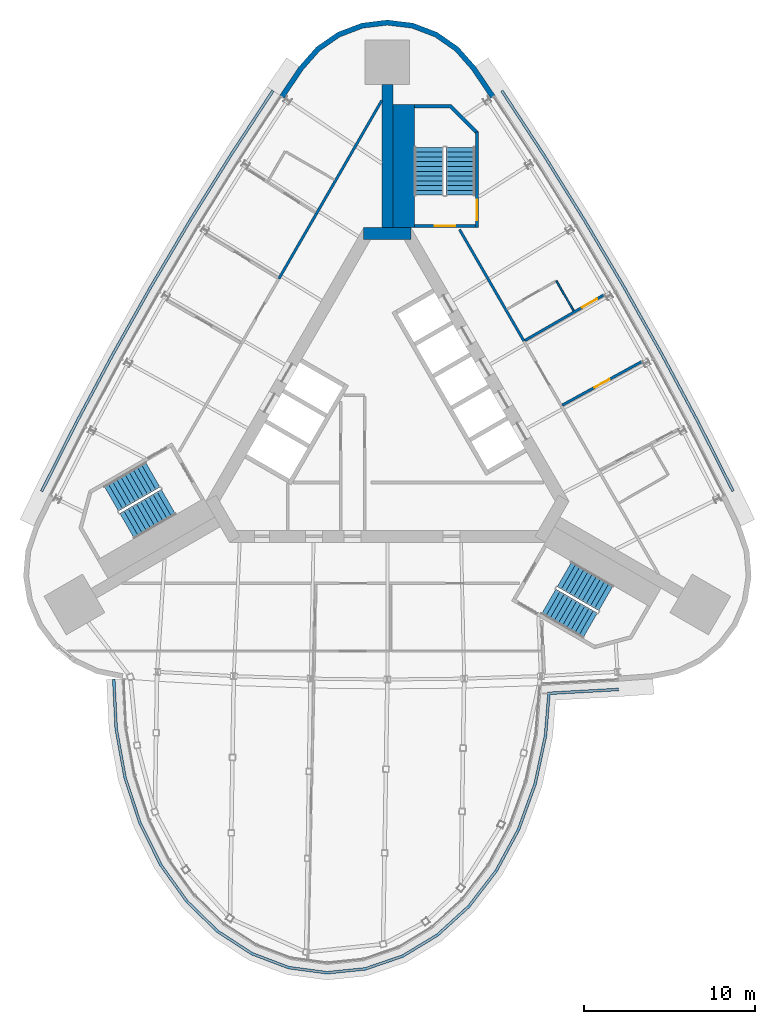
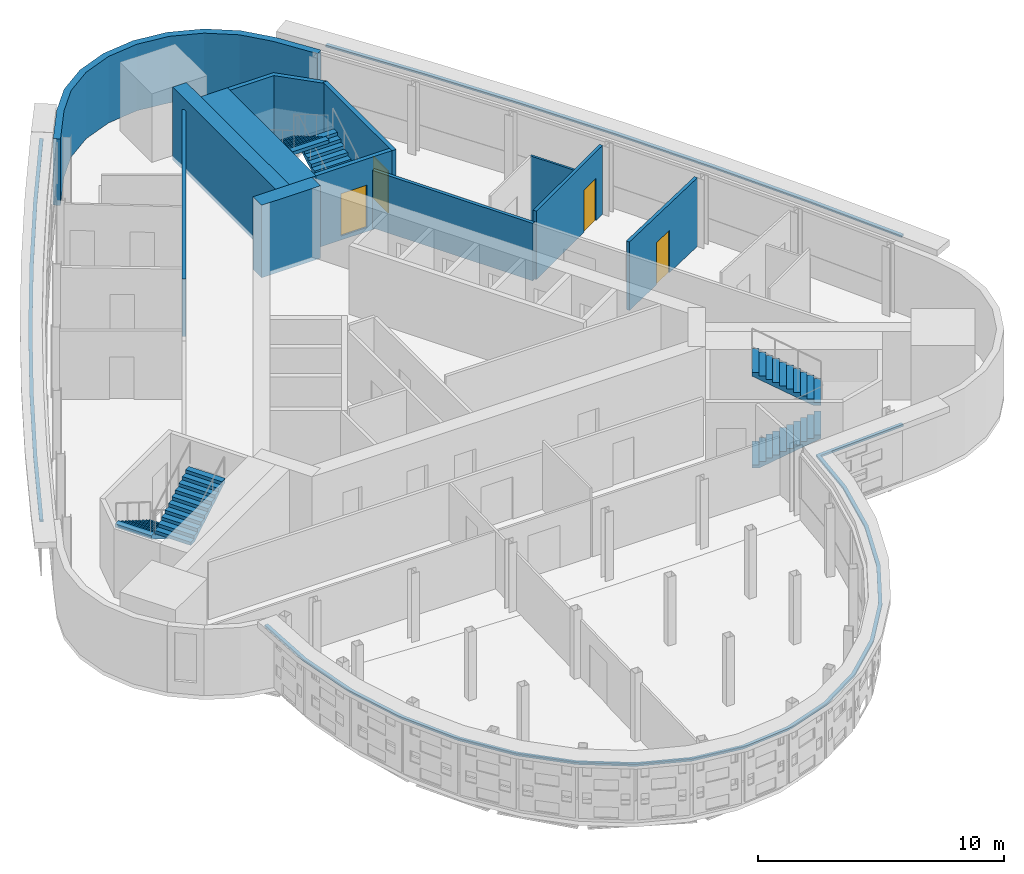
# One storey, part 11 of 14: 12 walls, 6 stair flights, 4 doors, 3 discrete accessories, 4 openings, 3 elements without a shape of their own.
"""IFC4 building model written with IfcOpenShell, lengths in metres."""

from ifc_helpers import new_model, si_unit, direction, frame, frame_2d, origin, place, context, subcontext, project, spatial, polyline, rectangle, outline, extrude, material, layer, layer_set, type_object, element, fill, aggregate, save


model = new_model("IFC4")

# Units and contexts
model_context = context("Model", 3, precision=1e-05, world=origin(), true_north=direction((0.0, 1.0)))
body_context = subcontext(model_context, "Body", "Model", "MODEL_VIEW")
ifc_project = project(units=[si_unit("LENGTHUNIT", "METRE"), si_unit("AREAUNIT", "SQUARE_METRE"), si_unit("VOLUMEUNIT", "CUBIC_METRE"), si_unit("PLANEANGLEUNIT", "RADIAN"), si_unit("MASSUNIT", "GRAM", prefix="KILO")], contexts=[model_context])

# Site, building, storey
site_placement = place(None, origin())
site = spatial("IfcSite", under=ifc_project, at=site_placement, CompositionType="ELEMENT")
building_placement = place(site_placement, origin())
building = spatial("IfcBuilding", under=site, at=building_placement, Name="Noor Cloister Tower", CompositionType="ELEMENT")
storey_placement = place(building_placement, frame((0.0, 0.0, 218.39990234375)))
storey = spatial("IfcBuildingStorey", under=building, at=storey_placement, Name="L56", CompositionType="ELEMENT", Elevation=218.39990234375)

# Walls
ifc_material_1 = material(Name="Concrete C60/75", Category="concrete")
ifc_layer_1 = layer(ifc_material_1, 0.64990234375)
ifc_layer_set_1 = layer_set([ifc_layer_1], Name="Buttress wall 650 C60/75")
wall_type_1 = type_object("IfcWallType", Name="Buttress wall 650 C60/75", PredefinedType="SHEAR", material=ifc_layer_set_1)
wall_1_placement = place(storey_placement, frame((0.0, 11.456298828125, -0.199951171875), z_axis=(0.0, 0.0, 1.0), x_axis=(0.0, 1.0, 0.0)))
element("IfcWall", 1, at=wall_1_placement, inside=storey, type_object=wall_type_1, Name="Buttress wall N L56", PredefinedType="SHEAR", context=body_context, shape_type="SweptSolid", body=[
    extrude(rectangle(XDim=8.358642578125, YDim=0.64990234375, at=frame_2d((4.17919921875, 0.0))), origin(), (0.0, 0.0, 1.0), 3.60009765625),
])
ifc_material_2 = material(Name="Concrete C60/75", Category="concrete")
ifc_layer_2 = layer(ifc_material_2, 0.699951171875)
ifc_layer_set_2 = layer_set([ifc_layer_2], Name="Core wall 700 C60/75")
wall_type_2 = type_object("IfcWallType", Name="Core wall 700 C60/75", PredefinedType="SHEAR", material=ifc_layer_set_2)
wall_2_placement = place(storey_placement, frame((1.3857421875, 11.1064453125, -0.199951171875), z_axis=(0.0, 0.0, 1.0), x_axis=(-1.0, 0.0, 0.0)))
element("IfcWall", 2, at=wall_2_placement, inside=storey, type_object=wall_type_2, Name="Core wall L56 4", PredefinedType="SHEAR", context=body_context, shape_type="SweptSolid", body=[
    extrude(rectangle(XDim=2.771484375, YDim=0.699951171875, at=frame_2d((1.3857421875, 0.0))), origin(), (0.0, 0.0, 1.0), 3.60009765625),
])
ifc_material_3 = material(Name="Fire-rated gypsum board partition on steel studs, 150 mm", Category="steel")
ifc_layer_3 = layer(ifc_material_3, 0.14990234375)
ifc_layer_set_3 = layer_set([ifc_layer_3], Name="Fire lobby wall 150")
wall_type_3 = type_object("IfcWallType", Name="Fire lobby wall 150", PredefinedType="PARTITIONING", material=ifc_layer_set_3)
wall_3_placement = place(storey_placement, frame((-0.324951171875, 18.8935546875, 0.0), z_axis=(0.0, 0.0, 1.0), x_axis=(-0.50000126085, -0.866024675831, 0.0)))
element("IfcWall", 3, at=wall_3_placement, inside=storey, type_object=wall_type_3, Name="Wall L56-W18", PredefinedType="PARTITIONING", context=body_context, shape_type="SweptSolid", body=[
    extrude(rectangle(XDim=12.02685546875, YDim=0.14990234375, at=frame_2d((6.013427734375, 0.0))), origin(), (0.0, 0.0, 1.0), 2.85205078125),
])
ifc_material_4 = material(Name="Gypsum board partition on steel studs, 150 mm", Category="steel")
ifc_layer_4 = layer(ifc_material_4, 0.14990234375)
ifc_layer_set_4 = layer_set([ifc_layer_4], Name="Flat wall 150")
wall_type_4 = type_object("IfcWallType", Name="Flat wall 150", PredefinedType="PARTITIONING", material=ifc_layer_set_4)
wall_4_placement = place(storey_placement, frame((7.978515625, 4.83740234375, 0.0), z_axis=(0.0, 0.0, 1.0), x_axis=(-0.500014427086, 0.866017074142, 0.0)))
element("IfcWall", 4, at=wall_4_placement, inside=storey, type_object=wall_type_4, Name="Wall L56-W02", PredefinedType="PARTITIONING", context=body_context, shape_type="SweptSolid", body=[
    extrude(rectangle(XDim=7.527587890625, YDim=0.14990234375, at=frame_2d((3.763671875, 0.0))), origin(), (0.0, 0.0, 1.0), 2.85205078125),
])

# Wall, opening, door
wall_5_placement = place(storey_placement, frame((14.909912109375, 3.661376953125, 0.0), z_axis=(0.0, 0.0, 1.0), x_axis=(-0.87687518663, -0.480718116023, 0.0)))
wall_5 = element("IfcWall", 5, at=wall_5_placement, inside=storey, type_object=wall_type_4, Name="Wall L56-W03", PredefinedType="PARTITIONING", context=body_context, shape_type="SweptSolid", body=[
    extrude(rectangle(XDim=5.34130859375, YDim=0.14990234375, at=frame_2d((2.670654296875, 0.0))), origin(), (0.0, 0.0, 1.0), 3.400146484375),
])
opening_1_placement = place(wall_5_placement, frame((2.2080078125, 0.0, 0.0)))
opening_1 = element("IfcOpeningElement", 6, at=opening_1_placement, cuts=wall_5, Name="Opening L56-004", PredefinedType="OPENING", context=body_context, shape_type="SweptSolid", body=[
    extrude(rectangle(XDim=1.0, YDim=2.10009765625, at=frame_2d((0.5, 1.050048828125))), frame((0.0, 0.0849609375, 0.0), z_axis=(0.0, -1.0, 0.0), x_axis=(1.0, 0.0, 0.0)), (0.0, 0.0, 1.0), 0.169921875),
])
ifc_material_5 = material(Name="Timber door leaf with steel frame", Category="steel")
door_type_1 = type_object("IfcDoorType", Name="Flat entrance door 1000", OperationType="NOTDEFINED", PredefinedType="DOOR", material=ifc_material_5)
door_1_placement = place(opening_1_placement, origin())
door_1 = element("IfcDoor", 7, at=door_1_placement, inside=storey, type_object=door_type_1, Name="Door L56-004", OperationType="SINGLE_SWING_RIGHT", OverallHeight=2.10009765625, OverallWidth=1.0, PredefinedType="DOOR", context=body_context, shape_type="SweptSolid", body=[
    extrude(rectangle(XDim=1.0, YDim=2.10009765625, at=frame_2d((0.5, 1.050048828125))), frame((0.0, 0.02490234375, 0.0), z_axis=(0.0, -1.0, 0.0), x_axis=(1.0, 0.0, 0.0)), (0.0, 0.0, 1.0), 0.050048828125),
])
fill(opening_1, door_1)

wall_6_placement = place(storey_placement, frame((12.70703125, 7.5673828125, 0.0), z_axis=(0.0, 0.0, 1.0), x_axis=(-0.866016468327, -0.500015476347, 0.0)))
wall_6 = element("IfcWall", 8, at=wall_6_placement, inside=storey, type_object=wall_type_4, Name="Wall L56-W04", PredefinedType="PARTITIONING", context=body_context, shape_type="SweptSolid", body=[
    extrude(rectangle(XDim=5.385009765625, YDim=0.14990234375, at=frame_2d((2.6923828125, 0.0))), origin(), (0.0, 0.0, 1.0), 3.400146484375),
])
opening_2_placement = place(wall_6_placement, frame((0.530029296875, 0.0, 0.0)))
opening_2 = element("IfcOpeningElement", 9, at=opening_2_placement, cuts=wall_6, Name="Opening L56-006", PredefinedType="OPENING", context=body_context, shape_type="SweptSolid", body=[
    extrude(rectangle(XDim=1.0, YDim=2.10009765625, at=frame_2d((0.5, 1.050048828125))), frame((0.0, 0.0849609375, 0.0), z_axis=(0.0, -1.0, 0.0), x_axis=(1.0, 0.0, 0.0)), (0.0, 0.0, 1.0), 0.169921875),
])
door_2_placement = place(opening_2_placement, origin())
door_2 = element("IfcDoor", 10, at=door_2_placement, inside=storey, type_object=door_type_1, Name="Door L56-006", OperationType="SINGLE_SWING_RIGHT", OverallHeight=2.10009765625, OverallWidth=1.0, PredefinedType="DOOR", context=body_context, shape_type="SweptSolid", body=[
    extrude(rectangle(XDim=1.0, YDim=2.10009765625, at=frame_2d((0.5, 1.050048828125))), frame((0.0, 0.02490234375, 0.0), z_axis=(0.0, -1.0, 0.0), x_axis=(1.0, 0.0, 0.0)), (0.0, 0.0, 1.0), 0.050048828125),
])
fill(opening_2, door_2)

# Walls
ifc_material_6 = material(Name="Limestone", Category="masonry")
ifc_layer_5 = layer(ifc_material_6, 0.300048828125)
ifc_layer_set_5 = layer_set([ifc_layer_5], Name="Limestone cladding 300")
wall_type_5 = type_object("IfcWallType", Name="Limestone cladding 300", PredefinedType="NOTDEFINED", material=ifc_layer_set_5)
wall_7_placement = place(storey_placement, origin())
element("IfcWall", 11, at=wall_7_placement, inside=storey, type_object=wall_type_5, Name="Limestone pier cladding L56 3.1", PredefinedType="NOTDEFINED", context=body_context, shape_type="SweptSolid", body=[
    extrude(outline(polyline([(6.2822265625, 19.2041015625), (5.148681640625, 20.87890625), (4.1513671875, 22.012939453125), (2.91064453125, 22.874267578125), (1.499267578125, 23.412109375), (0.0, 23.5947265625), (-1.499267578125, 23.412109375), (-2.91064453125, 22.874267578125), (-4.1513671875, 22.012939453125), (-5.148681640625, 20.87890625), (-6.2822265625, 19.2041015625), (-6.03369140625, 19.035888671875), (-4.910888671875, 20.69482421875), (-3.9501953125, 21.787353515625), (-2.76953125, 22.60693359375), (-1.426513671875, 23.11865234375), (0.0, 23.292724609375), (1.426513671875, 23.11865234375), (2.76953125, 22.60693359375), (3.9501953125, 21.787353515625), (4.910888671875, 20.69482421875), (6.03369140625, 19.035888671875), (6.2822265625, 19.2041015625)])), origin(), (0.0, 0.0, 1.0), 3.300048828125),
])
ifc_material_7 = material(Name="Gypsum board partition on steel studs, 100 mm", Category="steel")
ifc_layer_6 = layer(ifc_material_7, 0.10009765625)
ifc_layer_set_6 = layer_set([ifc_layer_6], Name="Partition 100")
wall_type_6 = type_object("IfcWallType", Name="Partition 100", PredefinedType="PARTITIONING", material=ifc_layer_set_6)
wall_8_placement = place(storey_placement, frame((10.885498046875, 6.602294921875, 0.0), z_axis=(0.0, 0.0, 1.0), x_axis=(-0.499990325971, 0.866030989016, 0.0)))
element("IfcWall", 12, at=wall_8_placement, inside=storey, type_object=wall_type_6, Name="Wall L56-W09", PredefinedType="PARTITIONING", context=body_context, shape_type="SweptSolid", body=[
    extrude(rectangle(XDim=2.02490234375, YDim=0.10009765625, at=frame_2d((1.012451171875, 0.0))), origin(), (0.0, 0.0, 1.0), 3.400146484375),
])
ifc_material_8 = material(Name="Concrete C60/75", Category="concrete")
ifc_layer_7 = layer(ifc_material_8, 1.260986328125)
ifc_layer_set_7 = layer_set([ifc_layer_7], Name="Stair enclosure wall 1261 C60/75")
wall_type_7 = type_object("IfcWallType", Name="Stair enclosure wall 1261 C60/75", PredefinedType="SHEAR", material=ifc_layer_set_7)
wall_9_placement = place(storey_placement, frame((0.955322265625, 11.456298828125, -0.199951171875), z_axis=(0.0, 0.0, 1.0), x_axis=(0.0, 1.0, 0.0)))
element("IfcWall", 13, at=wall_9_placement, inside=storey, type_object=wall_type_7, Name="Stair enclosure wall ST1 L56 riser side", PredefinedType="SHEAR", context=body_context, shape_type="SweptSolid", body=[
    extrude(rectangle(XDim=7.2001953125, YDim=1.2607421875, at=frame_2d((3.60009765625, 0.0))), origin(), (0.0, 0.0, 1.0), 3.60009765625),
])

# Wall, opening, door
ifc_material_9 = material(Name="Concrete C60/75", Category="concrete")
ifc_layer_8 = layer(ifc_material_9, 0.199951171875)
ifc_layer_set_8 = layer_set([ifc_layer_8], Name="Stair enclosure wall 200 C60/75")
wall_type_8 = type_object("IfcWallType", Name="Stair enclosure wall 200 C60/75", PredefinedType="SHEAR", material=ifc_layer_set_8)
wall_10_placement = place(storey_placement, frame((5.135498046875, 11.556396484375, -0.199951171875), z_axis=(0.0, 0.0, 1.0), x_axis=(-1.0, 0.0, 0.0)))
wall_10 = element("IfcWall", 14, at=wall_10_placement, inside=storey, type_object=wall_type_8, Name="Stair enclosure wall ST1 L56 near end", PredefinedType="SHEAR", context=body_context, shape_type="SweptSolid", body=[
    extrude(rectangle(XDim=3.5498046875, YDim=0.199951171875, at=frame_2d((1.77490234375, 0.0))), origin(), (0.0, 0.0, 1.0), 3.60009765625),
])
opening_3_placement = place(wall_10_placement, frame((1.175048828125, 0.0, 0.199951171875)))
opening_3 = element("IfcOpeningElement", 15, at=opening_3_placement, cuts=wall_10, Name="Opening L56-ST1L", PredefinedType="OPENING", context=body_context, shape_type="SweptSolid", body=[
    extrude(rectangle(XDim=1.199951171875, YDim=2.10009765625, at=frame_2d((0.60009765625, 1.050048828125))), frame((0.0, 0.10986328125, 0.0), z_axis=(0.0, -1.0, 0.0), x_axis=(1.0, 0.0, 0.0)), (0.0, 0.0, 1.0), 0.219970703125),
])
ifc_material_10 = material(Name="Steel", Category="steel")
door_type_2 = type_object("IfcDoorType", Name="Stair door 1200 x 2100 FD120", OperationType="SINGLE_SWING_LEFT", PredefinedType="DOOR", material=ifc_material_10)
door_3_placement = place(opening_3_placement, origin())
door_3 = element("IfcDoor", 16, at=door_3_placement, inside=storey, type_object=door_type_2, Name="Stair door ST1 L56", OperationType="SINGLE_SWING_RIGHT", OverallHeight=2.10009765625, OverallWidth=1.199951171875, PredefinedType="DOOR", context=body_context, shape_type="SweptSolid", body=[
    extrude(rectangle(XDim=1.199951171875, YDim=2.10009765625, at=frame_2d((0.60009765625, 1.050048828125))), frame((0.0, 0.02490234375, 0.0), z_axis=(0.0, -1.0, 0.0), x_axis=(1.0, 0.0, 0.0)), (0.0, 0.0, 1.0), 0.050048828125),
])
fill(opening_3, door_3)

wall_11_placement = place(storey_placement, frame((5.235595703125, 11.456298828125, -0.199951171875), z_axis=(0.0, 0.0, 1.0), x_axis=(0.0, 1.0, 0.0)))
wall_11 = element("IfcWall", 17, at=wall_11_placement, inside=storey, type_object=wall_type_8, Name="Stair enclosure wall ST1 L56 outer side", PredefinedType="SHEAR", context=body_context, shape_type="SweptSolid", body=[
    extrude(rectangle(XDim=5.60009765625, YDim=0.199951171875, at=frame_2d((2.800048828125, 0.0))), origin(), (0.0, 0.0, 1.0), 3.60009765625),
])
opening_4_placement = place(wall_11_placement, frame((0.449951171875, 0.0, 0.199951171875)))
opening_4 = element("IfcOpeningElement", 18, at=opening_4_placement, cuts=wall_11, Name="Opening L56-ST1C", PredefinedType="OPENING", context=body_context, shape_type="SweptSolid", body=[
    extrude(rectangle(XDim=1.199951171875, YDim=2.10009765625, at=frame_2d((0.60009765625, 1.050048828125))), frame((0.0, 0.10986328125, 0.0), z_axis=(0.0, -1.0, 0.0), x_axis=(1.0, 0.0, 0.0)), (0.0, 0.0, 1.0), 0.219970703125),
])
door_4_placement = place(opening_4_placement, origin())
door_4 = element("IfcDoor", 19, at=door_4_placement, inside=storey, type_object=door_type_2, Name="Stair door ST1 L56", OperationType="SINGLE_SWING_LEFT", OverallHeight=2.10009765625, OverallWidth=1.199951171875, PredefinedType="DOOR", context=body_context, shape_type="SweptSolid", body=[
    extrude(rectangle(XDim=1.199951171875, YDim=2.10009765625, at=frame_2d((0.60009765625, 1.050048828125))), frame((0.0, 0.02490234375, 0.0), z_axis=(0.0, -1.0, 0.0), x_axis=(1.0, 0.0, 0.0)), (0.0, 0.0, 1.0), 0.050048828125),
])
fill(opening_4, door_4)

# Wall
ifc_material_11 = material(Name="Concrete C60/75", Category="concrete")
wall_type_9 = type_object("IfcWallType", Name="Stair far end wall C60/75", PredefinedType="SHEAR", material=ifc_material_11)
wall_12_placement = place(storey_placement, frame((0.0, 0.0, -0.199951171875)))
element("IfcWall", 20, at=wall_12_placement, inside=storey, type_object=wall_type_9, Name="Stair enclosure wall ST1 L56 far end", PredefinedType="SHEAR", context=body_context, shape_type="SweptSolid", body=[
    extrude(outline(polyline([(5.335693359375, 17.056396484375), (3.735595703125, 18.656494140625), (1.585693359375, 18.656494140625), (1.585693359375, 18.456298828125), (3.65283203125, 18.456298828125), (5.135498046875, 16.9736328125), (5.135498046875, 17.056396484375), (5.135498046875, 17.056396484375), (5.135498046875, 17.056396484375), (5.135498046875, 17.056396484375), (5.135498046875, 17.056396484375), (5.135498046875, 17.056396484375), (5.135498046875, 17.056396484375), (5.135498046875, 17.056396484375), (5.135498046875, 17.056396484375), (5.135498046875, 17.056396484375), (5.135498046875, 17.056396484375), (5.135498046875, 17.056396484375), (5.135498046875, 17.056396484375), (5.135498046875, 17.056396484375), (5.135498046875, 17.056396484375), (5.135498046875, 17.056396484375), (5.135498046875, 17.056396484375), (5.335693359375, 17.056396484375)])), origin(), (0.0, 0.0, 1.0), 3.60009765625),
])

# Stair, stair flights
ifc_material_12 = material(Name="Concrete C40/50", Category="concrete")
stair_type = type_object("IfcStairType", Name="Exit stair 22 risers", PredefinedType="HALF_TURN_STAIR", material=ifc_material_12)
stair_1_placement = place(storey_placement, origin())
stair_1 = element("IfcStair", 21, at=stair_1_placement, inside=storey, type_object=stair_type, Name="Exit stair ST1 L56", PredefinedType="HALF_TURN_STAIR")
ifc_material_13 = material(Name="Concrete C40/50", Category="concrete")
stair_flight_type = type_object("IfcStairFlightType", Name="Exit stair flight", PredefinedType="STRAIGHT", material=ifc_material_13)
stair_flight_1_placement = place(storey_placement, frame((4.28564453125, 13.3564453125, 0.0), z_axis=(0.0, 0.0, 1.0), x_axis=(0.0, 1.0, 0.0)))
stair_flight_1 = element("IfcStairFlight", 22, at=stair_flight_1_placement, type_object=stair_flight_type, Name="ST1 flight 1", NumberOfRisers=11, NumberOfTreads=10, PredefinedType="STRAIGHT", RiserHeight=0.163636364, TreadLength=0.28, context=body_context, shape_type="SweptSolid", body=[
    extrude(outline(polyline([(0.0, 0.0), (0.0, 0.16357421875), (0.280029296875, 0.16357421875), (0.280029296875, 0.327392578125), (0.56005859375, 0.327392578125), (0.56005859375, 0.490966796875), (0.840087890625, 0.490966796875), (0.840087890625, 0.654541015625), (1.1201171875, 0.654541015625), (1.1201171875, 0.818115234375), (1.39990234375, 0.818115234375), (1.39990234375, 0.98193359375), (1.679931640625, 0.98193359375), (1.679931640625, 1.1455078125), (1.9599609375, 1.1455078125), (1.9599609375, 1.30908203125), (2.239990234375, 1.30908203125), (2.239990234375, 1.47265625), (2.52001953125, 1.47265625), (2.52001953125, 1.636474609375), (2.800048828125, 1.636474609375), (2.800048828125, 1.800048828125), (2.800048828125, 1.462646484375), (0.297119140625, 0.0), (0.0, 0.0)])), frame((0.0, 0.85009765625, 0.0), z_axis=(0.0, -1.0, 0.0), x_axis=(1.0, 0.0, 0.0)), (0.0, 0.0, 1.0), 1.699951171875),
])
stair_flight_2_placement = place(storey_placement, frame((2.435546875, 16.156494140625, 1.800048828125), z_axis=(0.0, 0.0, 1.0), x_axis=(0.0, -1.0, 0.0)))
stair_flight_2 = element("IfcStairFlight", 23, at=stair_flight_2_placement, type_object=stair_flight_type, Name="ST1 flight 2", NumberOfRisers=11, NumberOfTreads=10, PredefinedType="STRAIGHT", RiserHeight=0.163636364, TreadLength=0.28, context=body_context, shape_type="SweptSolid", body=[
    extrude(outline(polyline([(0.0, 0.0), (0.0, 0.16357421875), (0.280029296875, 0.16357421875), (0.280029296875, 0.327392578125), (0.56005859375, 0.327392578125), (0.56005859375, 0.490966796875), (0.840087890625, 0.490966796875), (0.840087890625, 0.654541015625), (1.1201171875, 0.654541015625), (1.1201171875, 0.818115234375), (1.39990234375, 0.818115234375), (1.39990234375, 0.98193359375), (1.679931640625, 0.98193359375), (1.679931640625, 1.1455078125), (1.9599609375, 1.1455078125), (1.9599609375, 1.30908203125), (2.239990234375, 1.30908203125), (2.239990234375, 1.47265625), (2.52001953125, 1.47265625), (2.52001953125, 1.636474609375), (2.800048828125, 1.636474609375), (2.800048828125, 1.800048828125), (2.800048828125, 1.462646484375), (0.297119140625, 0.0), (0.0, 0.0)])), frame((0.0, 0.85009765625, 0.0), z_axis=(0.0, -1.0, 0.0), x_axis=(1.0, 0.0, 0.0)), (0.0, 0.0, 1.0), 1.699951171875),
])
aggregate(stair_1, [stair_flight_1, stair_flight_2])

stair_2_placement = place(storey_placement, origin())
stair_2 = element("IfcStair", 24, at=stair_2_placement, inside=storey, type_object=stair_type, Name="Exit stair ST2 L56", PredefinedType="HALF_TURN_STAIR")
stair_flight_3_placement = place(storey_placement, frame((-13.709716796875, -2.966796875, 0.0), z_axis=(0.0, 0.0, 1.0), x_axis=(-0.866025403784, -0.5, 0.0)))
stair_flight_3 = element("IfcStairFlight", 25, at=stair_flight_3_placement, type_object=stair_flight_type, Name="ST2 flight 1", NumberOfRisers=11, NumberOfTreads=10, PredefinedType="STRAIGHT", RiserHeight=0.163636364, TreadLength=0.28, context=body_context, shape_type="SweptSolid", body=[
    extrude(outline(polyline([(0.0, 0.0), (0.0, 0.16357421875), (0.280029296875, 0.16357421875), (0.280029296875, 0.327392578125), (0.56005859375, 0.327392578125), (0.56005859375, 0.490966796875), (0.840087890625, 0.490966796875), (0.840087890625, 0.654541015625), (1.1201171875, 0.654541015625), (1.1201171875, 0.818115234375), (1.39990234375, 0.818115234375), (1.39990234375, 0.98193359375), (1.679931640625, 0.98193359375), (1.679931640625, 1.1455078125), (1.9599609375, 1.1455078125), (1.9599609375, 1.30908203125), (2.239990234375, 1.30908203125), (2.239990234375, 1.47265625), (2.52001953125, 1.47265625), (2.52001953125, 1.636474609375), (2.800048828125, 1.636474609375), (2.800048828125, 1.800048828125), (2.800048828125, 1.462646484375), (0.297119140625, 0.0), (0.0, 0.0)])), frame((0.0, 0.85009765625, 0.0), z_axis=(0.0, -1.0, 0.0), x_axis=(1.0, 0.0, 0.0)), (0.0, 0.0, 1.0), 1.699951171875),
])
stair_flight_4_placement = place(storey_placement, frame((-15.209716796875, -5.968994140625, 1.800048828125), z_axis=(0.0, 0.0, 1.0), x_axis=(0.866025403784, 0.5, 0.0)))
stair_flight_4 = element("IfcStairFlight", 26, at=stair_flight_4_placement, type_object=stair_flight_type, Name="ST2 flight 2", NumberOfRisers=11, NumberOfTreads=10, PredefinedType="STRAIGHT", RiserHeight=0.163636364, TreadLength=0.28, context=body_context, shape_type="SweptSolid", body=[
    extrude(outline(polyline([(0.0, 0.0), (0.0, 0.16357421875), (0.280029296875, 0.16357421875), (0.280029296875, 0.327392578125), (0.56005859375, 0.327392578125), (0.56005859375, 0.490966796875), (0.840087890625, 0.490966796875), (0.840087890625, 0.654541015625), (1.1201171875, 0.654541015625), (1.1201171875, 0.818115234375), (1.39990234375, 0.818115234375), (1.39990234375, 0.98193359375), (1.679931640625, 0.98193359375), (1.679931640625, 1.1455078125), (1.9599609375, 1.1455078125), (1.9599609375, 1.30908203125), (2.239990234375, 1.30908203125), (2.239990234375, 1.47265625), (2.52001953125, 1.47265625), (2.52001953125, 1.636474609375), (2.800048828125, 1.636474609375), (2.800048828125, 1.800048828125), (2.800048828125, 1.462646484375), (0.297119140625, 0.0), (0.0, 0.0)])), frame((0.0, 0.85009765625, 0.0), z_axis=(0.0, -1.0, 0.0), x_axis=(1.0, 0.0, 0.0)), (0.0, 0.0, 1.0), 1.699951171875),
])
aggregate(stair_2, [stair_flight_3, stair_flight_4])

stair_3_placement = place(storey_placement, origin())
stair_3 = element("IfcStair", 27, at=stair_3_placement, inside=storey, type_object=stair_type, Name="Exit stair ST3 L56", PredefinedType="HALF_TURN_STAIR")
stair_flight_5_placement = place(storey_placement, frame((9.424072265625, -10.3896484375, 0.0), z_axis=(0.0, 0.0, 1.0), x_axis=(0.866025403784, -0.5, 0.0)))
stair_flight_5 = element("IfcStairFlight", 28, at=stair_flight_5_placement, type_object=stair_flight_type, Name="ST3 flight 1", NumberOfRisers=11, NumberOfTreads=10, PredefinedType="STRAIGHT", RiserHeight=0.163636364, TreadLength=0.28, context=body_context, shape_type="SweptSolid", body=[
    extrude(outline(polyline([(0.0, 0.0), (0.0, 0.16357421875), (0.280029296875, 0.16357421875), (0.280029296875, 0.327392578125), (0.56005859375, 0.327392578125), (0.56005859375, 0.490966796875), (0.840087890625, 0.490966796875), (0.840087890625, 0.654541015625), (1.1201171875, 0.654541015625), (1.1201171875, 0.818115234375), (1.39990234375, 0.818115234375), (1.39990234375, 0.98193359375), (1.679931640625, 0.98193359375), (1.679931640625, 1.1455078125), (1.9599609375, 1.1455078125), (1.9599609375, 1.30908203125), (2.239990234375, 1.30908203125), (2.239990234375, 1.47265625), (2.52001953125, 1.47265625), (2.52001953125, 1.636474609375), (2.800048828125, 1.636474609375), (2.800048828125, 1.800048828125), (2.800048828125, 1.462646484375), (0.297119140625, 0.0), (0.0, 0.0)])), frame((0.0, 0.85009765625, 0.0), z_axis=(0.0, -1.0, 0.0), x_axis=(1.0, 0.0, 0.0)), (0.0, 0.0, 1.0), 1.699951171875),
])
stair_flight_6_placement = place(storey_placement, frame((12.77392578125, -10.1875, 1.800048828125), z_axis=(0.0, 0.0, 1.0), x_axis=(-0.866025403784, 0.5, 0.0)))
stair_flight_6 = element("IfcStairFlight", 29, at=stair_flight_6_placement, type_object=stair_flight_type, Name="ST3 flight 2", NumberOfRisers=11, NumberOfTreads=10, PredefinedType="STRAIGHT", RiserHeight=0.163636364, TreadLength=0.28, context=body_context, shape_type="SweptSolid", body=[
    extrude(outline(polyline([(0.0, 0.0), (0.0, 0.16357421875), (0.280029296875, 0.16357421875), (0.280029296875, 0.327392578125), (0.56005859375, 0.327392578125), (0.56005859375, 0.490966796875), (0.840087890625, 0.490966796875), (0.840087890625, 0.654541015625), (1.1201171875, 0.654541015625), (1.1201171875, 0.818115234375), (1.39990234375, 0.818115234375), (1.39990234375, 0.98193359375), (1.679931640625, 0.98193359375), (1.679931640625, 1.1455078125), (1.9599609375, 1.1455078125), (1.9599609375, 1.30908203125), (2.239990234375, 1.30908203125), (2.239990234375, 1.47265625), (2.52001953125, 1.47265625), (2.52001953125, 1.636474609375), (2.800048828125, 1.636474609375), (2.800048828125, 1.800048828125), (2.800048828125, 1.462646484375), (0.297119140625, 0.0), (0.0, 0.0)])), frame((0.0, 0.85009765625, 0.0), z_axis=(0.0, -1.0, 0.0), x_axis=(1.0, 0.0, 0.0)), (0.0, 0.0, 1.0), 1.699951171875),
])
aggregate(stair_3, [stair_flight_5, stair_flight_6])

# Discrete accessories
ifc_material_14 = material(Name="Stainless steel grade 316", Category="steel")
discrete_accessory_type = type_object("IfcDiscreteAccessoryType", Name="Stainless hanger rail", PredefinedType="BRACKET", material=ifc_material_14)
discrete_accessory_1_placement = place(storey_placement, frame((0.0, 0.0, 3.2001953125)))
element("IfcDiscreteAccessory", 30, at=discrete_accessory_1_placement, inside=storey, type_object=discrete_accessory_type, Name="Hanger rail L56", PredefinedType="BRACKET", context=body_context, shape_type="SweptSolid", body=[
    extrude(outline(polyline([(-6.7509765625, 19.510498046875), (-9.21630859375, 15.738525390625), (-11.600830078125, 11.90771484375), (-13.900146484375, 8.025146484375), (-16.113037109375, 4.0927734375), (-18.238037109375, 0.1123046875), (-20.27197265625, -3.90869140625), (-20.129150390625, -3.98095703125), (-18.09619140625, 0.03857421875), (-15.97265625, 4.015869140625), (-13.761474609375, 7.9453125), (-11.464111328125, 11.82470703125), (-9.081298828125, 15.652587890625), (-6.616943359375, 19.4228515625), (-6.7509765625, 19.510498046875)])), origin(), (0.0, 0.0, 1.0), 0.099853515625),
])
discrete_accessory_2_placement = place(storey_placement, frame((0.0, 0.0, 3.2001953125)))
element("IfcDiscreteAccessory", 31, at=discrete_accessory_2_placement, inside=storey, type_object=discrete_accessory_type, Name="Hanger rail L56", PredefinedType="BRACKET", context=body_context, shape_type="SweptSolid", body=[
    extrude(outline(polyline([(-16.066650390625, -14.925537109375), (-15.924560546875, -17.830322265625), (-15.40283203125, -20.69091796875), (-14.517333984375, -23.38720703125), (-13.291748046875, -25.839111328125), (-11.759521484375, -27.973388671875), (-9.961669921875, -29.7236328125), (-7.94921875, -31.03271484375), (-5.781494140625, -31.854248046875), (-3.52880859375, -32.156494140625), (-1.267578125, -31.9267578125), (0.92529296875, -31.175048828125), (2.978759765625, -29.93115234375), (4.831787109375, -28.239501953125), (6.431884765625, -26.155517578125), (7.7353515625, -23.744140625), (8.70703125, -21.07763671875), (9.320068359375, -18.235107421875), (9.515625, -15.823486328125), (13.52099609375, -15.6015625), (13.51220703125, -15.44189453125), (9.367431640625, -15.67138671875), (9.16162109375, -18.211669921875), (8.552978515625, -21.033203125), (7.589111328125, -23.678466796875), (6.297119140625, -26.068359375), (4.71337890625, -28.130859375), (2.882568359375, -29.802490234375), (0.857177734375, -31.029296875), (-1.302001953125, -31.76953125), (-3.526123046875, -31.995361328125), (-5.741943359375, -31.6982421875), (-7.876220703125, -30.88916015625), (-9.861328125, -29.59814453125), (-11.6376953125, -27.86865234375), (-13.154541015625, -25.75634765625), (-14.368896484375, -23.326171875), (-15.24755859375, -20.6513671875), (-15.765380859375, -17.81201171875), (-15.90673828125, -14.917724609375), (-16.066650390625, -14.925537109375)])), origin(), (0.0, 0.0, 1.0), 0.099853515625),
])
discrete_accessory_3_placement = place(storey_placement, frame((0.0, 0.0, 3.2001953125)))
element("IfcDiscreteAccessory", 32, at=discrete_accessory_3_placement, inside=storey, type_object=discrete_accessory_type, Name="Hanger rail L56", PredefinedType="BRACKET", context=body_context, shape_type="SweptSolid", body=[
    extrude(outline(polyline([(20.27197265625, -3.90869140625), (18.238037109375, 0.1123046875), (16.113037109375, 4.0927734375), (13.900146484375, 8.025146484375), (11.600830078125, 11.90771484375), (9.21630859375, 15.738525390625), (6.7509765625, 19.510498046875), (6.616943359375, 19.4228515625), (9.081298828125, 15.652587890625), (11.464111328125, 11.82470703125), (13.761474609375, 7.9453125), (15.97265625, 4.015869140625), (18.09619140625, 0.03857421875), (20.129150390625, -3.98095703125), (20.27197265625, -3.90869140625)])), origin(), (0.0, 0.0, 1.0), 0.099853515625),
])

save(model, "model.ifc")
